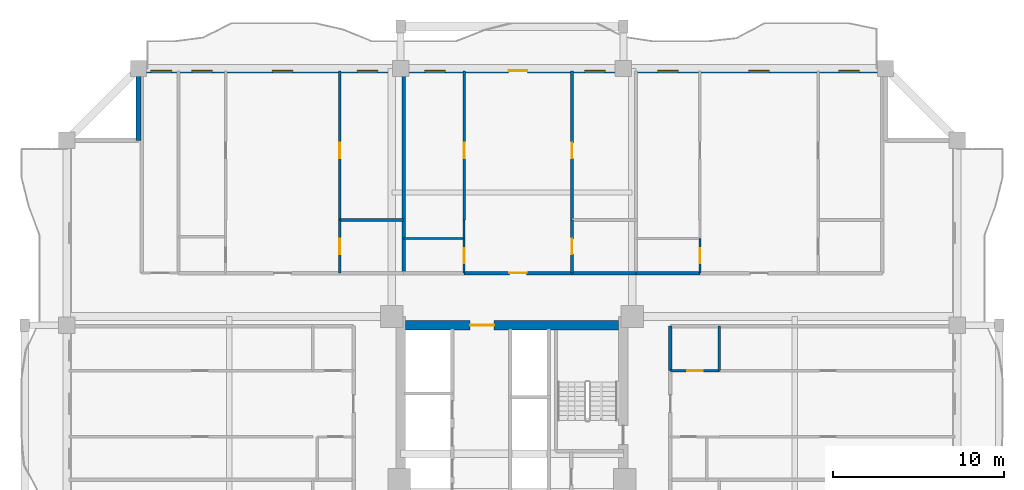
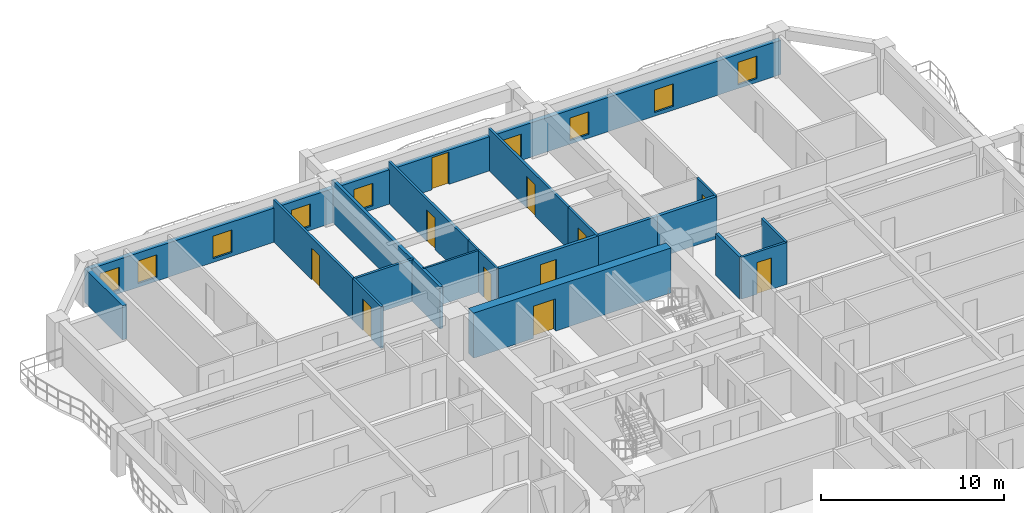
# One storey, part 7 of 13: 20 walls, 11 doors, 9 windows, 20 openings.
"""IFC4 building model written with IfcOpenShell, lengths in metres."""

from ifc_helpers import new_model, si_unit, direction, frame, frame_2d, origin, place, context, subcontext, project, spatial, rectangle, extrude, source, transform, mapped, material, layer, layer_set, type_object, element, fill, save


model = new_model("IFC4")

# Units and contexts
model_context = context("Model", 3, precision=1e-05, world=origin(), true_north=direction((0.0, 1.0)))
body_context = subcontext(model_context, "Body", "Model", "MODEL_VIEW")
ifc_project = project(units=[si_unit("LENGTHUNIT", "METRE"), si_unit("AREAUNIT", "SQUARE_METRE"), si_unit("VOLUMEUNIT", "CUBIC_METRE"), si_unit("PLANEANGLEUNIT", "RADIAN"), si_unit("MASSUNIT", "GRAM", prefix="KILO")], contexts=[model_context])

# Site, building, storey
site_placement = place(None, origin())
site = spatial("IfcSite", under=ifc_project, at=site_placement, CompositionType="ELEMENT")
building_placement = place(site_placement, origin())
building = spatial("IfcBuilding", under=site, at=building_placement, Name="Saelheon Loggia Tower", CompositionType="ELEMENT")
storey_placement = place(building_placement, frame((0.0, 0.0, 83.85009765625)))
storey = spatial("IfcBuildingStorey", under=building, at=storey_placement, Name="L26", CompositionType="ELEMENT", Elevation=83.85009765625)

# Wall, opening, door
ifc_material_1 = material(Name="Concrete C50/60", Category="concrete")
ifc_layer_1 = layer(ifc_material_1, 0.550048828125)
ifc_layer_set_1 = layer_set([ifc_layer_1], Name="Concrete C50/60")
wall_type_1 = type_object("IfcWallType", Name="Wall_CoreShear_550", PredefinedType="SHEAR", material=ifc_layer_set_1)
wall_1_placement = place(storey_placement, frame((31.77490234375, 36.0, 0.0), z_axis=(0.0, 0.0, 1.0), x_axis=(1.0, 0.0, 0.0)))
wall_1 = element("IfcWall", 1, at=wall_1_placement, inside=storey, type_object=wall_type_1, Name="L26 Core Shear Wall North", PredefinedType="SHEAR", context=body_context, shape_type="SweptSolid", body=[
    extrude(rectangle(XDim=12.4501953125, YDim=0.550048828125, at=frame_2d((6.22509765625, 0.0))), origin(), (0.0, 0.0, 1.0), 3.0),
])
opening_1_placement = place(wall_1_placement, frame((5.1748046875, 0.0, 0.0), z_axis=(0.0, 0.0, 1.0), x_axis=(-1.0, 0.0, 0.0)))
opening_1 = element("IfcOpeningElement", 2, at=opening_1_placement, cuts=wall_1, Name="Opening D-FD2L", PredefinedType="OPENING", context=body_context, shape_type="SweptSolid", body=[
    extrude(rectangle(XDim=1.39990234375, YDim=2.14990234375, at=frame_2d((0.699951171875, 1.074951171875))), frame((0.0, 0.287109375, 0.0), z_axis=(0.0, -1.0, 0.0), x_axis=(1.0, 0.0, 0.0)), (0.0, 0.0, 1.0), 0.573974609375),
])
ifc_material_2 = material(Name="Galvanised Steel Glazed Lobby Fire Door", Category="steel")
door_type_1 = type_object("IfcDoorType", Name="Door_Fire_FD60_1400", OperationType="NOTDEFINED", PredefinedType="DOOR", material=ifc_material_2)
shared_shape_1 = source(origin(), body_context, "Body", "SweptSolid", [
    extrude(rectangle(XDim=1.39990234375, YDim=2.14990234375, at=frame_2d((0.699951171875, 1.074951171875))), frame((0.0, 0.02490234375, 0.0), z_axis=(0.0, -1.0, 0.0), x_axis=(1.0, 0.0, 0.0)), (0.0, 0.0, 1.0), 0.050048828125),
])
door_1_placement = place(opening_1_placement, origin())
door_1 = element("IfcDoor", 3, at=door_1_placement, inside=storey, type_object=door_type_1, Name="L26 Passenger Lift Lobby Main Door", OperationType="SINGLE_SWING_RIGHT", OverallHeight=2.14990234375, OverallWidth=1.39990234375, PredefinedType="DOOR", context=body_context, shape_type="MappedRepresentation", body=[
    mapped(shared_shape_1, transform((0.0, 0.0, 0.0), scale=1.0)),
])
fill(opening_1, door_1)

# Wall, openings, windows, door
ifc_material_3 = material(Name="Architectural Precast Concrete C40/50", Category="concrete")
ifc_layer_2 = layer(ifc_material_3, 0.280029296875)
ifc_layer_set_2 = layer_set([ifc_layer_2], Name="Architectural Precast Concrete C40/50")
wall_type_2 = type_object("IfcWallType", Name="Wall_Ext_Loggia_280", PredefinedType="SOLIDWALL", material=ifc_layer_set_2)
wall_2_placement = place(storey_placement, frame((16.199951171875, 50.860107421875, 0.0), z_axis=(0.0, 0.0, 1.0), x_axis=(1.0, 0.0, 0.0)))
wall_2 = element("IfcWall", 4, at=wall_2_placement, inside=storey, type_object=wall_type_2, Name="L26 North Loggia Inner Wall", PredefinedType="SOLIDWALL", context=body_context, shape_type="SweptSolid", body=[
    extrude(rectangle(XDim=43.60009765625, YDim=0.280029296875, at=frame_2d((21.800048828125, 0.0))), origin(), (0.0, 0.0, 1.0), 2.27978515625),
])
opening_2_placement = place(wall_2_placement, frame((0.722412109375, 0.0, 0.25)))
opening_2 = element("IfcOpeningElement", 5, at=opening_2_placement, cuts=wall_2, Name="Opening WN-03", PredefinedType="OPENING", context=body_context, shape_type="SweptSolid", body=[
    extrude(rectangle(XDim=1.199951171875, YDim=1.5, at=frame_2d((0.60009765625, 0.75))), frame((0.0, 0.152099609375, 0.0), z_axis=(0.0, -1.0, 0.0), x_axis=(1.0, 0.0, 0.0)), (0.0, 0.0, 1.0), 0.303955078125),
])
opening_3_placement = place(wall_2_placement, frame((3.10498046875, 0.0, 0.25)))
opening_3 = element("IfcOpeningElement", 6, at=opening_3_placement, cuts=wall_2, Name="Opening WN-03", PredefinedType="OPENING", context=body_context, shape_type="SweptSolid", body=[
    extrude(rectangle(XDim=1.199951171875, YDim=1.5, at=frame_2d((0.60009765625, 0.75))), frame((0.0, 0.152099609375, 0.0), z_axis=(0.0, -1.0, 0.0), x_axis=(1.0, 0.0, 0.0)), (0.0, 0.0, 1.0), 0.303955078125),
])
opening_4_placement = place(wall_2_placement, frame((7.8115234375, 0.0, 0.25)))
opening_4 = element("IfcOpeningElement", 7, at=opening_4_placement, cuts=wall_2, Name="Opening WN-03", PredefinedType="OPENING", context=body_context, shape_type="SweptSolid", body=[
    extrude(rectangle(XDim=1.199951171875, YDim=1.5, at=frame_2d((0.60009765625, 0.75))), frame((0.0, 0.152099609375, 0.0), z_axis=(0.0, -1.0, 0.0), x_axis=(1.0, 0.0, 0.0)), (0.0, 0.0, 1.0), 0.303955078125),
])
opening_5_placement = place(wall_2_placement, frame((12.76416015625, 0.0, 0.25)))
opening_5 = element("IfcOpeningElement", 8, at=opening_5_placement, cuts=wall_2, Name="Opening WN-03", PredefinedType="OPENING", context=body_context, shape_type="SweptSolid", body=[
    extrude(rectangle(XDim=1.199951171875, YDim=1.5, at=frame_2d((0.60009765625, 0.75))), frame((0.0, 0.152099609375, 0.0), z_axis=(0.0, -1.0, 0.0), x_axis=(1.0, 0.0, 0.0)), (0.0, 0.0, 1.0), 0.303955078125),
])
opening_6_placement = place(wall_2_placement, frame((16.709716796875, 0.0, 0.25)))
opening_6 = element("IfcOpeningElement", 9, at=opening_6_placement, cuts=wall_2, Name="Opening WN-03", PredefinedType="OPENING", context=body_context, shape_type="SweptSolid", body=[
    extrude(rectangle(XDim=1.199951171875, YDim=1.5, at=frame_2d((0.60009765625, 0.75))), frame((0.0, 0.152099609375, 0.0), z_axis=(0.0, -1.0, 0.0), x_axis=(1.0, 0.0, 0.0)), (0.0, 0.0, 1.0), 0.303955078125),
])
opening_7_placement = place(wall_2_placement, frame((21.603515625, 0.0, 0.0)))
opening_7 = element("IfcOpeningElement", 10, at=opening_7_placement, cuts=wall_2, Name="Opening TD1", PredefinedType="OPENING", context=body_context, shape_type="SweptSolid", body=[
    extrude(rectangle(XDim=1.10009765625, YDim=2.14990234375, at=frame_2d((0.550048828125, 1.074951171875))), frame((0.0, 0.152099609375, 0.0), z_axis=(0.0, -1.0, 0.0), x_axis=(1.0, 0.0, 0.0)), (0.0, 0.0, 1.0), 0.303955078125),
])
opening_8_placement = place(wall_2_placement, frame((26.0439453125, 0.0, 0.25)))
opening_8 = element("IfcOpeningElement", 11, at=opening_8_placement, cuts=wall_2, Name="Opening WN-03", PredefinedType="OPENING", context=body_context, shape_type="SweptSolid", body=[
    extrude(rectangle(XDim=1.199951171875, YDim=1.5, at=frame_2d((0.60009765625, 0.75))), frame((0.0, 0.152099609375, 0.0), z_axis=(0.0, -1.0, 0.0), x_axis=(1.0, 0.0, 0.0)), (0.0, 0.0, 1.0), 0.303955078125),
])
opening_9_placement = place(wall_2_placement, frame((30.306396484375, 0.0, 0.25)))
opening_9 = element("IfcOpeningElement", 12, at=opening_9_placement, cuts=wall_2, Name="Opening WN-03", PredefinedType="OPENING", context=body_context, shape_type="SweptSolid", body=[
    extrude(rectangle(XDim=1.199951171875, YDim=1.5, at=frame_2d((0.60009765625, 0.75))), frame((0.0, 0.152099609375, 0.0), z_axis=(0.0, -1.0, 0.0), x_axis=(1.0, 0.0, 0.0)), (0.0, 0.0, 1.0), 0.303955078125),
])
opening_10_placement = place(wall_2_placement, frame((35.629150390625, 0.0, 0.25)))
opening_10 = element("IfcOpeningElement", 13, at=opening_10_placement, cuts=wall_2, Name="Opening WN-03", PredefinedType="OPENING", context=body_context, shape_type="SweptSolid", body=[
    extrude(rectangle(XDim=1.199951171875, YDim=1.5, at=frame_2d((0.60009765625, 0.75))), frame((0.0, 0.152099609375, 0.0), z_axis=(0.0, -1.0, 0.0), x_axis=(1.0, 0.0, 0.0)), (0.0, 0.0, 1.0), 0.303955078125),
])
opening_11_placement = place(wall_2_placement, frame((40.884765625, 0.0, 0.25)))
opening_11 = element("IfcOpeningElement", 14, at=opening_11_placement, cuts=wall_2, Name="Opening WN-03", PredefinedType="OPENING", context=body_context, shape_type="SweptSolid", body=[
    extrude(rectangle(XDim=1.199951171875, YDim=1.5, at=frame_2d((0.60009765625, 0.75))), frame((0.0, 0.152099609375, 0.0), z_axis=(0.0, -1.0, 0.0), x_axis=(1.0, 0.0, 0.0)), (0.0, 0.0, 1.0), 0.303955078125),
])
ifc_material_4 = material(Name="Thermal-Break Aluminium and Triple Low-E Glass", Category="aluminium")
window_type = type_object("IfcWindowType", Name="Win_Bedroom_1200x1500", PartitioningType="SINGLE_PANEL", PredefinedType="WINDOW", material=ifc_material_4)
shared_shape_2 = source(origin(), body_context, "Body", "SweptSolid", [
    extrude(rectangle(XDim=1.199951171875, YDim=1.5, at=frame_2d((0.60009765625, 0.75))), frame((0.0, 0.030029296875, 0.0), z_axis=(0.0, -1.0, 0.0), x_axis=(1.0, 0.0, 0.0)), (0.0, 0.0, 1.0), 0.06005859375),
])
window_1_placement = place(opening_2_placement, origin())
window_1 = element("IfcWindow", 15, at=window_1_placement, inside=storey, type_object=window_type, Name="L26 N Dwelling Window 1", OverallHeight=1.5, OverallWidth=1.199951171875, PartitioningType="SINGLE_PANEL", PredefinedType="WINDOW", context=body_context, shape_type="MappedRepresentation", body=[
    mapped(shared_shape_2, transform((0.0, 0.0, 0.0), scale=1.0)),
])
fill(opening_2, window_1)
window_2_placement = place(opening_3_placement, origin())
window_2 = element("IfcWindow", 16, at=window_2_placement, inside=storey, type_object=window_type, Name="L26 N Dwelling Window 2", OverallHeight=1.5, OverallWidth=1.199951171875, PartitioningType="SINGLE_PANEL", PredefinedType="WINDOW", context=body_context, shape_type="MappedRepresentation", body=[
    mapped(shared_shape_2, transform((0.0, 0.0, 0.0), scale=1.0)),
])
fill(opening_3, window_2)
window_3_placement = place(opening_4_placement, origin())
window_3 = element("IfcWindow", 17, at=window_3_placement, inside=storey, type_object=window_type, Name="L26 N Dwelling Window 3", OverallHeight=1.5, OverallWidth=1.199951171875, PartitioningType="SINGLE_PANEL", PredefinedType="WINDOW", context=body_context, shape_type="MappedRepresentation", body=[
    mapped(shared_shape_2, transform((0.0, 0.0, 0.0), scale=1.0)),
])
fill(opening_4, window_3)
window_4_placement = place(opening_5_placement, origin())
window_4 = element("IfcWindow", 18, at=window_4_placement, inside=storey, type_object=window_type, Name="L26 N Dwelling Window 4", OverallHeight=1.5, OverallWidth=1.199951171875, PartitioningType="SINGLE_PANEL", PredefinedType="WINDOW", context=body_context, shape_type="MappedRepresentation", body=[
    mapped(shared_shape_2, transform((0.0, 0.0, 0.0), scale=1.0)),
])
fill(opening_5, window_4)
window_5_placement = place(opening_6_placement, origin())
window_5 = element("IfcWindow", 19, at=window_5_placement, inside=storey, type_object=window_type, Name="L26 N Dwelling Window 5", OverallHeight=1.5, OverallWidth=1.199951171875, PartitioningType="SINGLE_PANEL", PredefinedType="WINDOW", context=body_context, shape_type="MappedRepresentation", body=[
    mapped(shared_shape_2, transform((0.0, 0.0, 0.0), scale=1.0)),
])
fill(opening_6, window_5)
window_6_placement = place(opening_8_placement, origin())
window_6 = element("IfcWindow", 20, at=window_6_placement, inside=storey, type_object=window_type, Name="L26 N Dwelling Window 7", OverallHeight=1.5, OverallWidth=1.199951171875, PartitioningType="SINGLE_PANEL", PredefinedType="WINDOW", context=body_context, shape_type="MappedRepresentation", body=[
    mapped(shared_shape_2, transform((0.0, 0.0, 0.0), scale=1.0)),
])
fill(opening_8, window_6)
window_7_placement = place(opening_9_placement, origin())
window_7 = element("IfcWindow", 21, at=window_7_placement, inside=storey, type_object=window_type, Name="L26 N Dwelling Window 8", OverallHeight=1.5, OverallWidth=1.199951171875, PartitioningType="SINGLE_PANEL", PredefinedType="WINDOW", context=body_context, shape_type="MappedRepresentation", body=[
    mapped(shared_shape_2, transform((0.0, 0.0, 0.0), scale=1.0)),
])
fill(opening_9, window_7)
window_8_placement = place(opening_10_placement, origin())
window_8 = element("IfcWindow", 22, at=window_8_placement, inside=storey, type_object=window_type, Name="L26 N Dwelling Window 9", OverallHeight=1.5, OverallWidth=1.199951171875, PartitioningType="SINGLE_PANEL", PredefinedType="WINDOW", context=body_context, shape_type="MappedRepresentation", body=[
    mapped(shared_shape_2, transform((0.0, 0.0, 0.0), scale=1.0)),
])
fill(opening_10, window_8)
window_9_placement = place(opening_11_placement, origin())
window_9 = element("IfcWindow", 23, at=window_9_placement, inside=storey, type_object=window_type, Name="L26 N Dwelling Window 10", OverallHeight=1.5, OverallWidth=1.199951171875, PartitioningType="SINGLE_PANEL", PredefinedType="WINDOW", context=body_context, shape_type="MappedRepresentation", body=[
    mapped(shared_shape_2, transform((0.0, 0.0, 0.0), scale=1.0)),
])
fill(opening_11, window_9)
ifc_material_5 = material(Name="Thermal-Break Aluminium Glazed Door", Category="aluminium")
door_type_2 = type_object("IfcDoorType", Name="Door_Terrace_TD1", OperationType="NOTDEFINED", PredefinedType="DOOR", material=ifc_material_5)
shared_shape_3 = source(origin(), body_context, "Body", "SweptSolid", [
    extrude(rectangle(XDim=1.10009765625, YDim=2.14990234375, at=frame_2d((0.550048828125, 1.074951171875))), frame((0.0, 0.02490234375, 0.0), z_axis=(0.0, -1.0, 0.0), x_axis=(1.0, 0.0, 0.0)), (0.0, 0.0, 1.0), 0.050048828125),
])
door_2_placement = place(opening_7_placement, origin())
door_2 = element("IfcDoor", 24, at=door_2_placement, inside=storey, type_object=door_type_2, Name="L26 N Loggia Access Door", OperationType="SINGLE_SWING_RIGHT", OverallHeight=2.14990234375, OverallWidth=1.10009765625, PredefinedType="DOOR", context=body_context, shape_type="MappedRepresentation", body=[
    mapped(shared_shape_3, transform((0.0, 0.0, 0.0), scale=1.0)),
])
fill(opening_7, door_2)

# Walls
wall_3_placement = place(storey_placement, frame((16.199951171875, 46.800048828125, 0.0), z_axis=(0.0, 0.0, 1.0), x_axis=(0.0, 1.0, 0.0)))
element("IfcWall", 25, at=wall_3_placement, inside=storey, type_object=wall_type_2, Name="L26 Corner Notch Precast Wall NW1", PredefinedType="SOLIDWALL", context=body_context, shape_type="SweptSolid", body=[
    extrude(rectangle(XDim=4.119873046875, YDim=0.280029296875, at=frame_2d((2.06005859375, 0.0))), origin(), (0.0, 0.0, 1.0), 2.27978515625),
])
ifc_material_6 = material(Name="Lightweight Autoclaved Aerated Concrete Block and Acoustic Gypsum", Category="concrete")
ifc_layer_3 = layer(ifc_material_6, 0.14990234375)
ifc_layer_set_3 = layer_set([ifc_layer_3], Name="Lightweight Autoclaved Aerated Concrete Block and Acoustic Gypsum")
wall_type_3 = type_object("IfcWallType", Name="Wall_Part_150", PredefinedType="PARTITIONING", material=ifc_layer_set_3)
wall_4_placement = place(storey_placement, frame((27.943115234375, 42.14990234375, 0.0), z_axis=(0.0, 0.0, 1.0), x_axis=(1.0, 0.0, 0.0)))
element("IfcWall", 26, at=wall_4_placement, inside=storey, type_object=wall_type_3, Name="L26 N Partition V09", PredefinedType="PARTITIONING", context=body_context, shape_type="SweptSolid", body=[
    extrude(rectangle(XDim=3.735595703125, YDim=0.14990234375, at=frame_2d((1.86767578125, 0.0))), origin(), (0.0, 0.0, 1.0), 2.789794921875),
])

# Wall, opening, door
wall_5_placement = place(storey_placement, frame((27.943115234375, 39.050048828125, 0.0), z_axis=(0.0, 0.0, 1.0), x_axis=(0.0, 1.0, 0.0)))
wall_5 = element("IfcWall", 27, at=wall_5_placement, inside=storey, type_object=wall_type_3, Name="L26 N Partition U13", PredefinedType="PARTITIONING", context=body_context, shape_type="SweptSolid", body=[
    extrude(rectangle(XDim=3.099853515625, YDim=0.14990234375, at=frame_2d((1.5498046875, 0.0))), origin(), (0.0, 0.0, 1.0), 2.789794921875),
])
opening_12_placement = place(wall_5_placement, frame((1.10009765625, 0.0, 0.0)))
opening_12 = element("IfcOpeningElement", 28, at=opening_12_placement, cuts=wall_5, Name="Opening D-IN2", PredefinedType="OPENING", context=body_context, shape_type="SweptSolid", body=[
    extrude(rectangle(XDim=0.89990234375, YDim=2.10009765625, at=frame_2d((0.449951171875, 1.050048828125))), frame((0.0, 0.0869140625, 0.0), z_axis=(0.0, -1.0, 0.0), x_axis=(1.0, 0.0, 0.0)), (0.0, 0.0, 1.0), 0.173828125),
])
ifc_material_7 = material(Name="Engineered Oak Flush Door", Category="timber")
door_type_3 = type_object("IfcDoorType", Name="Door_Int_900", OperationType="NOTDEFINED", PredefinedType="DOOR", material=ifc_material_7)
shared_shape_4 = source(origin(), body_context, "Body", "SweptSolid", [
    extrude(rectangle(XDim=0.89990234375, YDim=2.10009765625, at=frame_2d((0.449951171875, 1.050048828125))), frame((0.0, 0.02490234375, 0.0), z_axis=(0.0, -1.0, 0.0), x_axis=(1.0, 0.0, 0.0)), (0.0, 0.0, 1.0), 0.050048828125),
])
door_3_placement = place(opening_12_placement, origin())
door_3 = element("IfcDoor", 29, at=door_3_placement, inside=storey, type_object=door_type_3, Name="Unit U05 Private Study Door", OperationType="SINGLE_SWING_RIGHT", OverallHeight=2.10009765625, OverallWidth=0.89990234375, PredefinedType="DOOR", context=body_context, shape_type="MappedRepresentation", body=[
    mapped(shared_shape_4, transform((0.0, 0.0, 0.0), scale=1.0)),
])
fill(opening_12, door_3)

wall_6_placement = place(storey_placement, frame((27.943115234375, 42.14990234375, 0.0), z_axis=(0.0, 0.0, 1.0), x_axis=(0.0, 1.0, 0.0)))
wall_6 = element("IfcWall", 30, at=wall_6_placement, inside=storey, type_object=wall_type_3, Name="L26 N Partition U14", PredefinedType="PARTITIONING", context=body_context, shape_type="SweptSolid", body=[
    extrude(rectangle(XDim=8.7001953125, YDim=0.14990234375, at=frame_2d((4.35009765625, 0.0))), origin(), (0.0, 0.0, 1.0), 2.789794921875),
])
opening_13_placement = place(wall_6_placement, frame((3.594970703125, 0.0, 0.0)))
opening_13 = element("IfcOpeningElement", 31, at=opening_13_placement, cuts=wall_6, Name="Opening D-IN2", PredefinedType="OPENING", context=body_context, shape_type="SweptSolid", body=[
    extrude(rectangle(XDim=0.89990234375, YDim=2.10009765625, at=frame_2d((0.449951171875, 1.050048828125))), frame((0.0, 0.0869140625, 0.0), z_axis=(0.0, -1.0, 0.0), x_axis=(1.0, 0.0, 0.0)), (0.0, 0.0, 1.0), 0.173828125),
])
door_4_placement = place(opening_13_placement, origin())
door_4 = element("IfcDoor", 32, at=door_4_placement, inside=storey, type_object=door_type_3, Name="Unit U05 Bedroom 1 Door", OperationType="SINGLE_SWING_LEFT", OverallHeight=2.10009765625, OverallWidth=0.89990234375, PredefinedType="DOOR", context=body_context, shape_type="MappedRepresentation", body=[
    mapped(shared_shape_4, transform((0.0, 0.0, 0.0), scale=1.0)),
])
fill(opening_13, door_4)

wall_7_placement = place(storey_placement, frame((35.204345703125, 42.14990234375, 0.0), z_axis=(0.0, 0.0, 1.0), x_axis=(0.0, 1.0, 0.0)))
wall_7 = element("IfcWall", 33, at=wall_7_placement, inside=storey, type_object=wall_type_3, Name="L26 N Partition U23", PredefinedType="PARTITIONING", context=body_context, shape_type="SweptSolid", body=[
    extrude(rectangle(XDim=8.7001953125, YDim=0.14990234375, at=frame_2d((4.35009765625, 0.0))), origin(), (0.0, 0.0, 1.0), 2.789794921875),
])
opening_14_placement = place(wall_7_placement, frame((3.594970703125, 0.0, 0.0)))
opening_14 = element("IfcOpeningElement", 34, at=opening_14_placement, cuts=wall_7, Name="Opening D-IN2", PredefinedType="OPENING", context=body_context, shape_type="SweptSolid", body=[
    extrude(rectangle(XDim=0.89990234375, YDim=2.10009765625, at=frame_2d((0.449951171875, 1.050048828125))), frame((0.0, 0.0869140625, 0.0), z_axis=(0.0, -1.0, 0.0), x_axis=(1.0, 0.0, 0.0)), (0.0, 0.0, 1.0), 0.173828125),
])
door_5_placement = place(opening_14_placement, origin())
door_5 = element("IfcDoor", 35, at=door_5_placement, inside=storey, type_object=door_type_3, Name="Unit U06 Bedroom 2 Door", OperationType="SINGLE_SWING_RIGHT", OverallHeight=2.10009765625, OverallWidth=0.89990234375, PredefinedType="DOOR", context=body_context, shape_type="MappedRepresentation", body=[
    mapped(shared_shape_4, transform((0.0, 0.0, 0.0), scale=1.0)),
])
fill(opening_14, door_5)

wall_8_placement = place(storey_placement, frame((41.5029296875, 39.050048828125, 0.0), z_axis=(0.0, 0.0, 1.0), x_axis=(0.0, 1.0, 0.0)))
wall_8 = element("IfcWall", 36, at=wall_8_placement, inside=storey, type_object=wall_type_3, Name="L26 N Partition U24", PredefinedType="PARTITIONING", context=body_context, shape_type="SweptSolid", body=[
    extrude(rectangle(XDim=3.099853515625, YDim=0.14990234375, at=frame_2d((1.5498046875, 0.0))), origin(), (0.0, 0.0, 1.0), 2.789794921875),
])
opening_15_placement = place(wall_8_placement, frame((1.10009765625, 0.0, 0.0)))
opening_15 = element("IfcOpeningElement", 37, at=opening_15_placement, cuts=wall_8, Name="Opening D-IN2", PredefinedType="OPENING", context=body_context, shape_type="SweptSolid", body=[
    extrude(rectangle(XDim=0.89990234375, YDim=2.10009765625, at=frame_2d((0.449951171875, 1.050048828125))), frame((0.0, 0.0869140625, 0.0), z_axis=(0.0, -1.0, 0.0), x_axis=(1.0, 0.0, 0.0)), (0.0, 0.0, 1.0), 0.173828125),
])
door_6_placement = place(opening_15_placement, origin())
door_6 = element("IfcDoor", 38, at=door_6_placement, inside=storey, type_object=door_type_3, Name="Unit U06 Kitchen Door", OperationType="SINGLE_SWING_LEFT", OverallHeight=2.10009765625, OverallWidth=0.89990234375, PredefinedType="DOOR", context=body_context, shape_type="MappedRepresentation", body=[
    mapped(shared_shape_4, transform((0.0, 0.0, 0.0), scale=1.0)),
])
fill(opening_15, door_6)

wall_9_placement = place(storey_placement, frame((41.5029296875, 42.14990234375, 0.0), z_axis=(0.0, 0.0, 1.0), x_axis=(0.0, 1.0, 0.0)))
wall_9 = element("IfcWall", 39, at=wall_9_placement, inside=storey, type_object=wall_type_3, Name="L26 N Partition U25", PredefinedType="PARTITIONING", context=body_context, shape_type="SweptSolid", body=[
    extrude(rectangle(XDim=8.7001953125, YDim=0.14990234375, at=frame_2d((4.35009765625, 0.0))), origin(), (0.0, 0.0, 1.0), 2.789794921875),
])
opening_16_placement = place(wall_9_placement, frame((3.594970703125, 0.0, 0.0)))
opening_16 = element("IfcOpeningElement", 40, at=opening_16_placement, cuts=wall_9, Name="Opening D-IN2", PredefinedType="OPENING", context=body_context, shape_type="SweptSolid", body=[
    extrude(rectangle(XDim=0.89990234375, YDim=2.10009765625, at=frame_2d((0.449951171875, 1.050048828125))), frame((0.0, 0.0869140625, 0.0), z_axis=(0.0, -1.0, 0.0), x_axis=(1.0, 0.0, 0.0)), (0.0, 0.0, 1.0), 0.173828125),
])
door_7_placement = place(opening_16_placement, origin())
door_7 = element("IfcDoor", 41, at=door_7_placement, inside=storey, type_object=door_type_3, Name="Unit U06 Bedroom 1 Door", OperationType="SINGLE_SWING_RIGHT", OverallHeight=2.10009765625, OverallWidth=0.89990234375, PredefinedType="DOOR", context=body_context, shape_type="MappedRepresentation", body=[
    mapped(shared_shape_4, transform((0.0, 0.0, 0.0), scale=1.0)),
])
fill(opening_16, door_7)

# Wall
wall_10_placement = place(storey_placement, frame((50.110107421875, 33.35009765625, 0.0), z_axis=(0.0, 0.0, 1.0), x_axis=(0.0, 1.0, 0.0)))
element("IfcWall", 42, at=wall_10_placement, inside=storey, type_object=wall_type_3, Name="L26 E Partition V18", PredefinedType="PARTITIONING", context=body_context, shape_type="SweptSolid", body=[
    extrude(rectangle(XDim=2.599853515625, YDim=0.14990234375, at=frame_2d((1.2998046875, 0.0))), origin(), (0.0, 0.0, 1.0), 2.789794921875),
])

# Wall, opening, door
wall_11_placement = place(storey_placement, frame((47.25, 33.35009765625, 0.0), z_axis=(0.0, 0.0, 1.0), x_axis=(1.0, 0.0, 0.0)))
wall_11 = element("IfcWall", 43, at=wall_11_placement, inside=storey, type_object=wall_type_3, Name="L26 E Partition U22", PredefinedType="PARTITIONING", context=body_context, shape_type="SweptSolid", body=[
    extrude(rectangle(XDim=2.860107421875, YDim=0.14990234375, at=frame_2d((1.43017578125, 0.0))), origin(), (0.0, 0.0, 1.0), 2.789794921875),
])
opening_17_placement = place(wall_11_placement, frame((0.97998046875, 0.0, 0.0)))
opening_17 = element("IfcOpeningElement", 44, at=opening_17_placement, cuts=wall_11, Name="Opening D-IN2", PredefinedType="OPENING", context=body_context, shape_type="SweptSolid", body=[
    extrude(rectangle(XDim=0.89990234375, YDim=2.10009765625, at=frame_2d((0.449951171875, 1.050048828125))), frame((0.0, 0.0869140625, 0.0), z_axis=(0.0, -1.0, 0.0), x_axis=(1.0, 0.0, 0.0)), (0.0, 0.0, 1.0), 0.173828125),
])
door_8_placement = place(opening_17_placement, origin())
door_8 = element("IfcDoor", 45, at=door_8_placement, inside=storey, type_object=door_type_3, Name="Unit U11 Dressing Closet Door", OperationType="SINGLE_SWING_RIGHT", OverallHeight=2.10009765625, OverallWidth=0.89990234375, PredefinedType="DOOR", context=body_context, shape_type="MappedRepresentation", body=[
    mapped(shared_shape_4, transform((0.0, 0.0, 0.0), scale=1.0)),
])
fill(opening_17, door_8)

# Wall
ifc_material_8 = material(Name="Double Acoustic Stud and Fireboard Partition", Category="gypsum")
ifc_layer_4 = layer(ifc_material_8, 0.199951171875)
ifc_layer_set_4 = layer_set([ifc_layer_4], Name="Double Acoustic Stud and Fireboard Partition")
wall_type_4 = type_object("IfcWallType", Name="Wall_Party_200", PredefinedType="PARTITIONING", material=ifc_layer_set_4)
wall_12_placement = place(storey_placement, frame((31.6787109375, 39.050048828125, 0.0), z_axis=(0.0, 0.0, 1.0), x_axis=(0.0, 1.0, 0.0)))
element("IfcWall", 46, at=wall_12_placement, inside=storey, type_object=wall_type_4, Name="L26 N Partition U15", PredefinedType="PARTITIONING", context=body_context, shape_type="SweptSolid", body=[
    extrude(rectangle(XDim=11.800048828125, YDim=0.199951171875, at=frame_2d((5.89990234375, 0.0))), origin(), (0.0, 0.0, 1.0), 2.789794921875),
])

# Wall, opening, door
wall_13_placement = place(storey_placement, frame((35.204345703125, 39.050048828125, 0.0), z_axis=(0.0, 0.0, 1.0), x_axis=(1.0, 0.0, 0.0)))
wall_13 = element("IfcWall", 47, at=wall_13_placement, inside=storey, type_object=wall_type_4, Name="L26 N Partition V17", PredefinedType="PARTITIONING", context=body_context, shape_type="SweptSolid", body=[
    extrude(rectangle(XDim=6.298583984375, YDim=0.199951171875, at=frame_2d((3.1494140625, 0.0))), origin(), (0.0, 0.0, 1.0), 2.789794921875),
])
opening_18_placement = place(wall_13_placement, frame((2.6494140625, 0.0, 0.0)))
opening_18 = element("IfcOpeningElement", 48, at=opening_18_placement, cuts=wall_13, Name="Opening D-FD1", PredefinedType="OPENING", context=body_context, shape_type="SweptSolid", body=[
    extrude(rectangle(XDim=1.0, YDim=2.14990234375, at=frame_2d((0.5, 1.074951171875))), frame((0.0, 0.112060546875, 0.0), z_axis=(0.0, -1.0, 0.0), x_axis=(1.0, 0.0, 0.0)), (0.0, 0.0, 1.0), 0.223876953125),
])
ifc_material_9 = material(Name="Fire-Rated Engineered Timber Entrance Door", Category="wood")
door_type_4 = type_object("IfcDoorType", Name="Door_Flat_FD30S", OperationType="NOTDEFINED", PredefinedType="DOOR", material=ifc_material_9)
shared_shape_5 = source(origin(), body_context, "Body", "SweptSolid", [
    extrude(rectangle(XDim=1.0, YDim=2.14990234375, at=frame_2d((0.5, 1.074951171875))), frame((0.0, 0.02490234375, 0.0), z_axis=(0.0, -1.0, 0.0), x_axis=(1.0, 0.0, 0.0)), (0.0, 0.0, 1.0), 0.050048828125),
])
door_9_placement = place(opening_18_placement, origin())
door_9 = element("IfcDoor", 49, at=door_9_placement, inside=storey, type_object=door_type_4, Name="Unit U06 Entrance Door", OperationType="SINGLE_SWING_RIGHT", OverallHeight=2.14990234375, OverallWidth=1.0, PredefinedType="DOOR", context=body_context, shape_type="MappedRepresentation", body=[
    mapped(shared_shape_5, transform((0.0, 0.0, 0.0), scale=1.0)),
])
fill(opening_18, door_9)

# Walls
for number, where, z_axis, x_axis, name in (
    (50, (41.5029296875, 39.050048828125, 0.0), (0.0, 0.0, 1.0), (1.0, 0.0, 0.0), "L26 N Partition V18"),
    (51, (45.238525390625, 39.050048828125, 0.0), (0.0, 0.0, 1.0), (1.0, 0.0, 0.0), "L26 N Partition V27"),
):
    element("IfcWall", number, at=place(storey_placement, frame(where, z_axis=z_axis, x_axis=x_axis)), inside=storey, type_object=wall_type_4, Name=name, PredefinedType="PARTITIONING", context=body_context, shape_type="SweptSolid", body=[
        extrude(rectangle(XDim=3.735595703125, YDim=0.199951171875, at=frame_2d((1.86767578125, 0.0))), origin(), (0.0, 0.0, 1.0), 2.789794921875),
    ])
wall_14_placement = place(storey_placement, frame((47.25, 33.35009765625, 0.0), z_axis=(0.0, 0.0, 1.0), x_axis=(0.0, 1.0, 0.0)))
element("IfcWall", 52, at=wall_14_placement, inside=storey, type_object=wall_type_4, Name="L26 E Partition V16", PredefinedType="PARTITIONING", context=body_context, shape_type="SweptSolid", body=[
    extrude(rectangle(XDim=2.599853515625, YDim=0.199951171875, at=frame_2d((1.2998046875, 0.0))), origin(), (0.0, 0.0, 1.0), 2.789794921875),
])
ifc_material_10 = material(Name="Moisture-Resistant Cement Board Partition", Category="gypsum")
ifc_layer_5 = layer(ifc_material_10, 0.1201171875)
ifc_layer_set_5 = layer_set([ifc_layer_5], Name="Moisture-Resistant Cement Board Partition")
wall_type_5 = type_object("IfcWallType", Name="Wall_WetPart_120", PredefinedType="PARTITIONING", material=ifc_layer_set_5)
wall_15_placement = place(storey_placement, frame((31.6787109375, 41.070068359375, 0.0), z_axis=(0.0, 0.0, 1.0), x_axis=(1.0, 0.0, 0.0)))
element("IfcWall", 53, at=wall_15_placement, inside=storey, type_object=wall_type_5, Name="L26 N Partition V19", PredefinedType="PARTITIONING", context=body_context, shape_type="SweptSolid", body=[
    extrude(rectangle(XDim=3.525634765625, YDim=0.1201171875, at=frame_2d((1.7626953125, 0.0))), origin(), (0.0, 0.0, 1.0), 2.789794921875),
])

# Wall, opening, door
wall_16_placement = place(storey_placement, frame((35.204345703125, 39.050048828125, 0.0), z_axis=(0.0, 0.0, 1.0), x_axis=(0.0, 1.0, 0.0)))
wall_16 = element("IfcWall", 54, at=wall_16_placement, inside=storey, type_object=wall_type_5, Name="L26 N Partition U21", PredefinedType="PARTITIONING", context=body_context, shape_type="SweptSolid", body=[
    extrude(rectangle(XDim=2.02001953125, YDim=0.1201171875, at=frame_2d((1.010009765625, 0.0))), origin(), (0.0, 0.0, 1.0), 2.789794921875),
])
opening_19_placement = place(wall_16_placement, frame((0.5849609375, 0.0, 0.0)))
opening_19 = element("IfcOpeningElement", 55, at=opening_19_placement, cuts=wall_16, Name="Opening D-BT1", PredefinedType="OPENING", context=body_context, shape_type="SweptSolid", body=[
    extrude(rectangle(XDim=0.85009765625, YDim=2.050048828125, at=frame_2d((0.425048828125, 1.02490234375))), frame((0.0, 0.072021484375, 0.0), z_axis=(0.0, -1.0, 0.0), x_axis=(1.0, 0.0, 0.0)), (0.0, 0.0, 1.0), 0.14404296875),
])
ifc_material_11 = material(Name="Moisture-Resistant Laminate Timber Door", Category="wood")
door_type_5 = type_object("IfcDoorType", Name="Door_Bath_850", OperationType="NOTDEFINED", PredefinedType="DOOR", material=ifc_material_11)
shared_shape_6 = source(origin(), body_context, "Body", "SweptSolid", [
    extrude(rectangle(XDim=0.85009765625, YDim=2.050048828125, at=frame_2d((0.425048828125, 1.02490234375))), frame((0.0, 0.02490234375, 0.0), z_axis=(0.0, -1.0, 0.0), x_axis=(1.0, 0.0, 0.0)), (0.0, 0.0, 1.0), 0.050048828125),
])
door_10_placement = place(opening_19_placement, origin())
door_10 = element("IfcDoor", 56, at=door_10_placement, inside=storey, type_object=door_type_5, Name="Unit U06 Bathroom Door", OperationType="SINGLE_SWING_LEFT", OverallHeight=2.050048828125, OverallWidth=0.85009765625, PredefinedType="DOOR", context=body_context, shape_type="MappedRepresentation", body=[
    mapped(shared_shape_6, transform((0.0, 0.0, 0.0), scale=1.0)),
])
fill(opening_19, door_10)

# Wall
wall_17_placement = place(storey_placement, frame((35.204345703125, 41.070068359375, 0.0), z_axis=(0.0, 0.0, 1.0), x_axis=(0.0, 1.0, 0.0)))
element("IfcWall", 57, at=wall_17_placement, inside=storey, type_object=wall_type_5, Name="L26 N Partition U22", PredefinedType="PARTITIONING", context=body_context, shape_type="SweptSolid", body=[
    extrude(rectangle(XDim=1.079833984375, YDim=0.1201171875, at=frame_2d((0.5400390625, 0.0))), origin(), (0.0, 0.0, 1.0), 2.789794921875),
])

# Wall, opening, door
wall_18_placement = place(storey_placement, frame((48.97412109375, 39.050048828125, 0.0), z_axis=(0.0, 0.0, 1.0), x_axis=(0.0, 1.0, 0.0)))
wall_18 = element("IfcWall", 58, at=wall_18_placement, inside=storey, type_object=wall_type_5, Name="L26 N Partition U32", PredefinedType="PARTITIONING", context=body_context, shape_type="SweptSolid", body=[
    extrude(rectangle(XDim=2.02001953125, YDim=0.1201171875, at=frame_2d((1.010009765625, 0.0))), origin(), (0.0, 0.0, 1.0), 2.789794921875),
])
opening_20_placement = place(wall_18_placement, frame((0.5849609375, 0.0, 0.0)))
opening_20 = element("IfcOpeningElement", 59, at=opening_20_placement, cuts=wall_18, Name="Opening D-BT1", PredefinedType="OPENING", context=body_context, shape_type="SweptSolid", body=[
    extrude(rectangle(XDim=0.85009765625, YDim=2.050048828125, at=frame_2d((0.425048828125, 1.02490234375))), frame((0.0, 0.072021484375, 0.0), z_axis=(0.0, -1.0, 0.0), x_axis=(1.0, 0.0, 0.0)), (0.0, 0.0, 1.0), 0.14404296875),
])
door_11_placement = place(opening_20_placement, origin())
door_11 = element("IfcDoor", 60, at=door_11_placement, inside=storey, type_object=door_type_5, Name="Unit U07 Bathroom Door", OperationType="SINGLE_SWING_RIGHT", OverallHeight=2.050048828125, OverallWidth=0.85009765625, PredefinedType="DOOR", context=body_context, shape_type="MappedRepresentation", body=[
    mapped(shared_shape_6, transform((0.0, 0.0, 0.0), scale=1.0)),
])
fill(opening_20, door_11)

save(model, "model.ifc")
